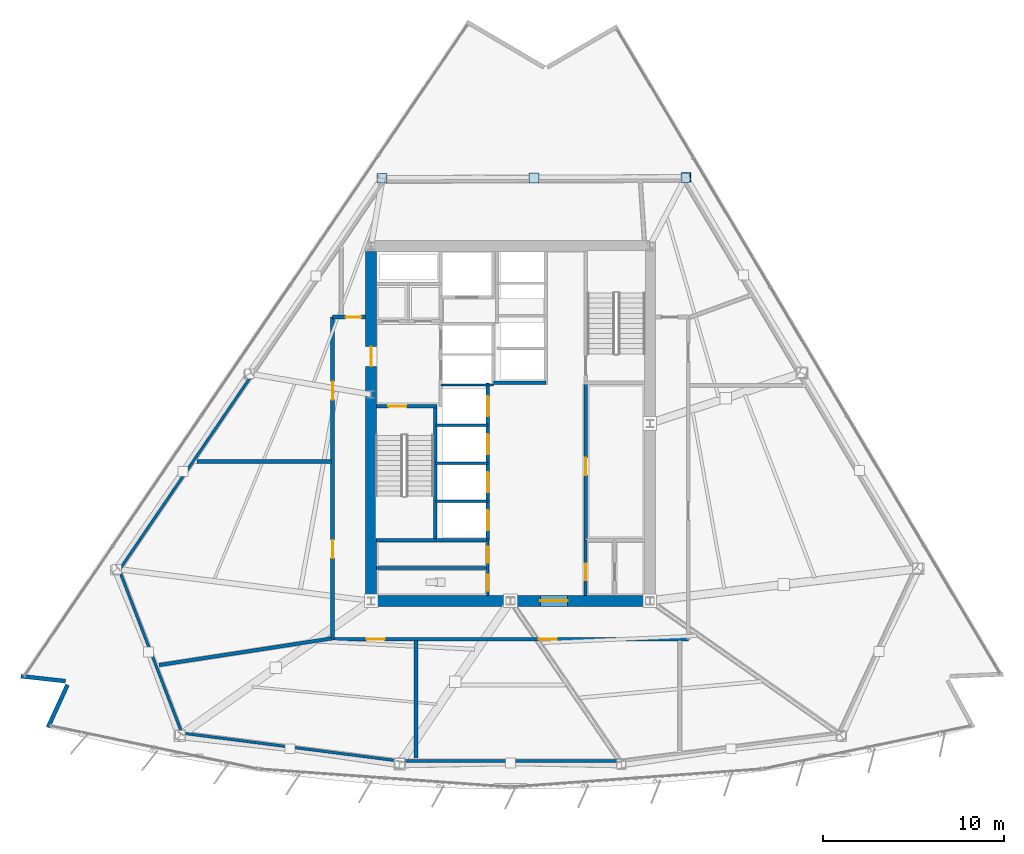
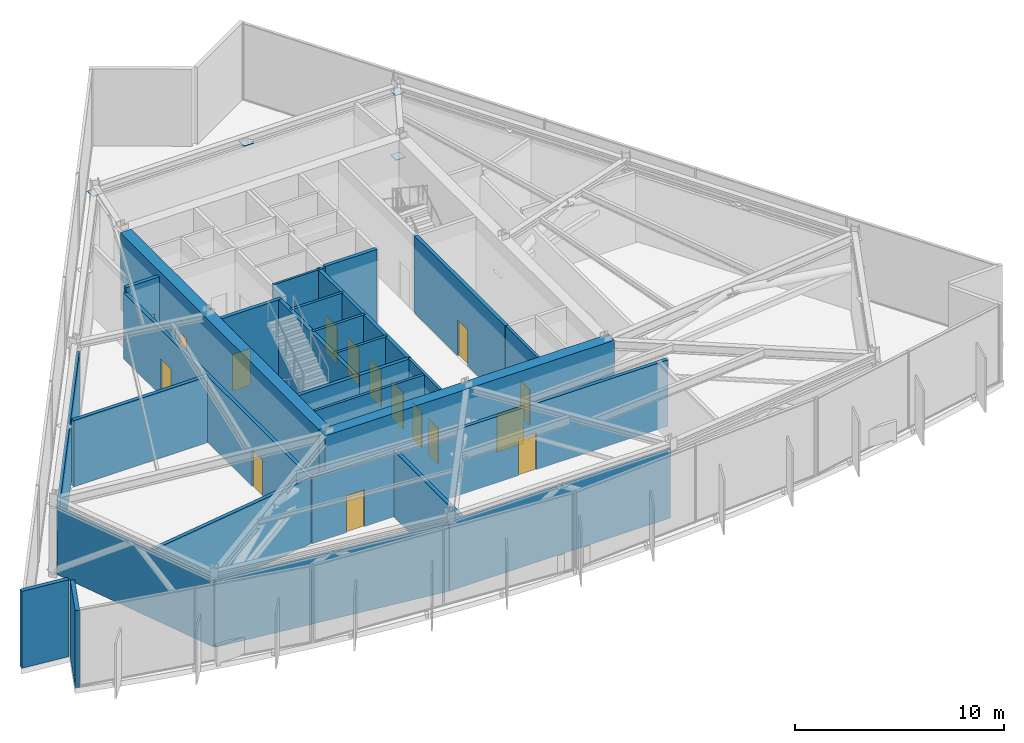
# One storey, part 8 of 14: 28 walls, 16 doors, 4 plates, 16 openings.
"""IFC4 building model written with IfcOpenShell, lengths in metres."""

from ifc_helpers import new_model, si_unit, direction, frame, frame_2d, origin, origin_2d, place, context, subcontext, project, spatial, rectangle, extrude, material, layer, layer_set, type_object, element, fill, save


model = new_model("IFC4")

# Units and contexts
model_context = context("Model", 3, precision=1e-05, world=origin(), true_north=direction((0.0, 1.0)))
body_context = subcontext(model_context, "Body", "Model", "MODEL_VIEW")
ifc_project = project(units=[si_unit("LENGTHUNIT", "METRE"), si_unit("AREAUNIT", "SQUARE_METRE"), si_unit("VOLUMEUNIT", "CUBIC_METRE"), si_unit("PLANEANGLEUNIT", "RADIAN"), si_unit("MASSUNIT", "GRAM", prefix="KILO")], contexts=[model_context])

# Site, building, storey
site_placement = place(None, origin())
site = spatial("IfcSite", under=ifc_project, at=site_placement, CompositionType="ELEMENT")
building_placement = place(site_placement, origin())
building = spatial("IfcBuilding", under=site, at=building_placement, Name="Savorim Split Tower", CompositionType="ELEMENT")
storey_placement = place(building_placement, frame((0.0, 0.0, 129.300048828125)))
storey = spatial("IfcBuildingStorey", under=building, at=storey_placement, Name="L34", CompositionType="ELEMENT", Elevation=129.300048828125)

# Plates
ifc_material_1 = material(Name="Steel S460", Category="steel")
ifc_layer_1 = layer(ifc_material_1, 0.028076171875)
ifc_layer_set_1 = layer_set([ifc_layer_1], Name="PLT-NODE-BN1")
plate_type = type_object("IfcPlateType", Name="PLT-NODE-BN1", PredefinedType="SHEET", material=ifc_layer_set_1)
plate_placement = place(storey_placement, frame((1.29345703125, 13.96044921875, 4.06591796875), z_axis=(0.0, 0.0, 1.0), x_axis=(1.0, 0.0, 0.0)))
element("IfcPlate", 1, at=plate_placement, inside=storey, type_object=plate_type, Name="L34 Belt Truss Apex Gusset Plate BN1-07", PredefinedType="SHEET", context=body_context, shape_type="SweptSolid", body=[
    extrude(rectangle(XDim=0.550048828125, YDim=0.550048828125, at=origin_2d()), origin(), (0.0, 0.0, 1.0), 0.028076171875),
])
for number, where, z_axis, x_axis, name in (
    (2, (9.699951171875, 13.99365234375, 0.26611328125), (0.0, 0.0, 1.0), (1.0, 0.0, 0.0), "L34 Belt Truss Base Gusset Plate BNB-07"),
    (3, (9.66650390625, 13.986328125, 4.06591796875), (0.0, 0.0, 1.0), (1.0, 0.0, 0.0), "L34 Belt Truss Chord Gusset Plate BCH-07"),
    (4, (-7.078125, 13.9375, 4.06591796875), (0.0, 0.0, 1.0), (1.0, 0.0, 0.0), "L34 Belt Truss Chord Gusset Plate BCH-08"),
):
    element("IfcPlate", number, at=place(storey_placement, frame(where, z_axis=z_axis, x_axis=x_axis)), inside=storey, type_object=plate_type, Name=name, PredefinedType="SHEET", context=body_context, shape_type="SweptSolid", body=[
        extrude(rectangle(XDim=0.52001953125, YDim=0.52001953125, at=origin_2d()), origin(), (0.0, 0.0, 1.0), 0.028076171875),
    ])

# Wall, opening, door
ifc_material_2 = material(Name="Concrete C60/75", Category="concrete")
ifc_layer_2 = layer(ifc_material_2, 0.60009765625)
ifc_layer_set_2 = layer_set([ifc_layer_2], Name="WAL-COR-SH600")
wall_type_1 = type_object("IfcWallType", Name="WAL-COR-SH600", PredefinedType="SHEAR", material=ifc_layer_set_2)
wall_1_placement = place(storey_placement, frame((-8.0, -9.39990234375, 0.0), z_axis=(0.0, 0.0, 1.0), x_axis=(1.0, 0.0, 0.0)))
wall_1 = element("IfcWall", 5, at=wall_1_placement, inside=storey, type_object=wall_type_1, Name="L34 Offset Core South Shear Wall", PredefinedType="SHEAR", context=body_context, shape_type="SweptSolid", body=[
    extrude(rectangle(XDim=16.0, YDim=0.60009765625, at=frame_2d((8.0, 0.0))), origin(), (0.0, 0.0, 1.0), 4.5),
])
opening_1_placement = place(wall_1_placement, frame((9.64990234375, 0.0, 0.0)))
opening_1 = element("IfcOpeningElement", 6, at=opening_1_placement, cuts=wall_1, Name="Opening DI-02", PredefinedType="OPENING", context=body_context, shape_type="SweptSolid", body=[
    extrude(rectangle(XDim=1.5, YDim=2.199951171875, at=frame_2d((0.75, 1.10009765625))), frame((0.0, 0.31005859375, 0.0), z_axis=(0.0, -1.0, 0.0), x_axis=(1.0, 0.0, 0.0)), (0.0, 0.0, 1.0), 0.6201171875),
])
ifc_material_3 = material(Name="Timber Fire Door Leaf", Category="wood")
door_type_1 = type_object("IfcDoorType", Name="DOR-DBL-1500", OperationType="NOTDEFINED", PredefinedType="DOOR", material=ifc_material_3)
door_1_placement = place(opening_1_placement, origin())
door_1 = element("IfcDoor", 7, at=door_1_placement, inside=storey, type_object=door_type_1, Name="DOR-L34-COR-LLOB - L34 Lift Lobby Main Rated Door", OperationType="DOUBLE_DOOR_SINGLE_SWING", OverallHeight=2.199951171875, OverallWidth=1.5, PredefinedType="DOOR", context=body_context, shape_type="SweptSolid", body=[
    extrude(rectangle(XDim=1.5, YDim=2.199951171875, at=frame_2d((0.75, 1.10009765625))), frame((0.0, 0.02490234375, 0.0), z_axis=(0.0, -1.0, 0.0), x_axis=(1.0, 0.0, 0.0)), (0.0, 0.0, 1.0), 0.050048828125),
])
fill(opening_1, door_1)

wall_2_placement = place(storey_placement, frame((-7.699951171875, -9.10009765625, 0.0), z_axis=(0.0, 0.0, 1.0), x_axis=(0.0, 1.0, 0.0)))
wall_2 = element("IfcWall", 8, at=wall_2_placement, inside=storey, type_object=wall_type_1, Name="L34 Offset Core West Shear Wall", PredefinedType="SHEAR", context=body_context, shape_type="SweptSolid", body=[
    extrude(rectangle(XDim=19.0, YDim=0.60009765625, at=frame_2d((9.5, 0.0))), origin(), (0.0, 0.0, 1.0), 4.5),
])
opening_2_placement = place(wall_2_placement, frame((12.64990234375, 0.0, 0.0)))
opening_2 = element("IfcOpeningElement", 9, at=opening_2_placement, cuts=wall_2, Name="Opening DI-03", PredefinedType="OPENING", context=body_context, shape_type="SweptSolid", body=[
    extrude(rectangle(XDim=1.10009765625, YDim=2.14990234375, at=frame_2d((0.550048828125, 1.074951171875))), frame((0.0, 0.31005859375, 0.0), z_axis=(0.0, -1.0, 0.0), x_axis=(1.0, 0.0, 0.0)), (0.0, 0.0, 1.0), 0.6201171875),
])
door_type_2 = type_object("IfcDoorType", Name="DOR-FIR-1100", OperationType="NOTDEFINED", PredefinedType="DOOR", material=ifc_material_3)
door_2_placement = place(opening_2_placement, origin())
door_2 = element("IfcDoor", 10, at=door_2_placement, inside=storey, type_object=door_type_2, Name="DOR-L34-COR-FFLOB - L34 Firefighting Lobby Corridor Door", OperationType="SINGLE_SWING_RIGHT", OverallHeight=2.14990234375, OverallWidth=1.10009765625, PredefinedType="DOOR", context=body_context, shape_type="SweptSolid", body=[
    extrude(rectangle(XDim=1.10009765625, YDim=2.14990234375, at=frame_2d((0.550048828125, 1.074951171875))), frame((0.0, 0.02490234375, 0.0), z_axis=(0.0, -1.0, 0.0), x_axis=(1.0, 0.0, 0.0)), (0.0, 0.0, 1.0), 0.050048828125),
])
fill(opening_2, door_2)

# Walls
ifc_material_4 = material(Name="Precast concrete C40/50", Category="concrete")
ifc_layer_3 = layer(ifc_material_4, 0.219970703125)
ifc_layer_set_3 = layer_set([ifc_layer_3], Name="WAL-EXT-CRN220")
wall_type_2 = type_object("IfcWallType", Name="WAL-EXT-CRN220", PredefinedType="SOLIDWALL", material=ifc_layer_set_3)
wall_3_placement = place(storey_placement, frame((-24.593505859375, -13.83447265625, 0.0), z_axis=(0.0, 0.0, 1.0), x_axis=(-0.993823222634, 0.110974781609, 0.0)))
element("IfcWall", 11, at=wall_3_placement, inside=storey, type_object=wall_type_2, Name="L34 Notched Corner Facade Wall SW1", PredefinedType="SOLIDWALL", context=body_context, shape_type="SweptSolid", body=[
    extrude(rectangle(XDim=2.466064453125, YDim=0.219970703125, at=frame_2d((1.23291015625, 0.0))), origin(), (0.0, 0.0, 1.0), 4.5),
])
wall_4_placement = place(storey_placement, frame((-25.5478515625, -16.380126953125, 0.0), z_axis=(0.0, 0.0, 1.0), x_axis=(0.417449299542, 0.908700215864, 0.0)))
element("IfcWall", 12, at=wall_4_placement, inside=storey, type_object=wall_type_2, Name="L34 Notched Corner Facade Wall SW", PredefinedType="SOLIDWALL", context=body_context, shape_type="SweptSolid", body=[
    extrude(rectangle(XDim=2.5703125, YDim=0.219970703125, at=frame_2d((1.28515625, 0.0))), origin(), (0.0, 0.0, 1.0), 4.5),
])

# Wall, opening, door
ifc_material_5 = material(Name="Concrete C50/60", Category="concrete")
ifc_layer_4 = layer(ifc_material_5, 0.199951171875)
ifc_layer_set_4 = layer_set([ifc_layer_4], Name="WAL-INT-RC200")
wall_type_3 = type_object("IfcWallType", Name="WAL-INT-RC200", PredefinedType="SOLIDWALL", material=ifc_layer_set_4)
wall_5_placement = place(storey_placement, frame((-7.39990234375, 1.35009765625, 0.0), z_axis=(0.0, 0.0, 1.0), x_axis=(1.0, 0.0, 0.0)))
wall_5 = element("IfcWall", 13, at=wall_5_placement, inside=storey, type_object=wall_type_3, Name="L34 Structural Shaft Wall W-L34-CR01", PredefinedType="SOLIDWALL", context=body_context, shape_type="SweptSolid", body=[
    extrude(rectangle(XDim=3.349853515625, YDim=0.199951171875, at=frame_2d((1.6748046875, 0.0))), origin(), (0.0, 0.0, 1.0), 4.5),
])
opening_3_placement = place(wall_5_placement, frame((0.64990234375, 0.0, 0.0)))
opening_3 = element("IfcOpeningElement", 14, at=opening_3_placement, cuts=wall_5, Name="Opening DI-04", PredefinedType="OPENING", context=body_context, shape_type="SweptSolid", body=[
    extrude(rectangle(XDim=1.0, YDim=2.14990234375, at=frame_2d((0.5, 1.074951171875))), frame((0.0, 0.10986328125, 0.0), z_axis=(0.0, -1.0, 0.0), x_axis=(1.0, 0.0, 0.0)), (0.0, 0.0, 1.0), 0.219970703125),
])
door_type_3 = type_object("IfcDoorType", Name="DOR-FIR-1000", OperationType="NOTDEFINED", PredefinedType="DOOR", material=ifc_material_3)
door_3_placement = place(opening_3_placement, origin())
door_3 = element("IfcDoor", 15, at=door_3_placement, inside=storey, type_object=door_type_3, Name="DR-L34-ST1 - L34 Stair ST-1 Enclosure Door", OperationType="SINGLE_SWING_LEFT", OverallHeight=2.14990234375, OverallWidth=1.0, PredefinedType="DOOR", context=body_context, shape_type="SweptSolid", body=[
    extrude(rectangle(XDim=1.0, YDim=2.14990234375, at=frame_2d((0.5, 1.074951171875))), frame((0.0, 0.02490234375, 0.0), z_axis=(0.0, -1.0, 0.0), x_axis=(1.0, 0.0, 0.0)), (0.0, 0.0, 1.0), 0.050048828125),
])
fill(opening_3, door_3)

# Wall
wall_6_placement = place(storey_placement, frame((-4.14990234375, -5.949951171875, 0.0), z_axis=(0.0, 0.0, 1.0), x_axis=(0.0, 1.0, 0.0)))
element("IfcWall", 16, at=wall_6_placement, inside=storey, type_object=wall_type_3, Name="L34 Structural Shaft Wall W-L34-CR02", PredefinedType="SOLIDWALL", context=body_context, shape_type="SweptSolid", body=[
    extrude(rectangle(XDim=7.199951171875, YDim=0.199951171875, at=frame_2d((3.60009765625, 0.0))), origin(), (0.0, 0.0, 1.0), 4.5),
])

# Wall, opening, door
wall_7_placement = place(storey_placement, frame((4.14990234375, -6.050048828125, 0.0), z_axis=(0.0, 0.0, 1.0), x_axis=(0.0, 1.0, 0.0)))
wall_7 = element("IfcWall", 17, at=wall_7_placement, inside=storey, type_object=wall_type_3, Name="L34 Partition W-L34-B1FRONT", PredefinedType="SOLIDWALL", context=body_context, shape_type="SweptSolid", body=[
    extrude(rectangle(XDim=8.699951171875, YDim=0.199951171875, at=frame_2d((4.35009765625, 0.0))), origin(), (0.0, 0.0, 1.0), 4.5),
])
opening_4_placement = place(wall_7_placement, frame((3.60009765625, 0.0, 0.0)))
opening_4 = element("IfcOpeningElement", 18, at=opening_4_placement, cuts=wall_7, Name="Opening DI-05", PredefinedType="OPENING", context=body_context, shape_type="SweptSolid", body=[
    extrude(rectangle(XDim=0.949951171875, YDim=2.10009765625, at=frame_2d((0.47509765625, 1.050048828125))), frame((0.0, 0.10986328125, 0.0), z_axis=(0.0, -1.0, 0.0), x_axis=(1.0, 0.0, 0.0)), (0.0, 0.0, 1.0), 0.219970703125),
])
door_type_4 = type_object("IfcDoorType", Name="DOR-FIR-950", OperationType="NOTDEFINED", PredefinedType="DOOR", material=ifc_material_3)
door_4_placement = place(opening_4_placement, origin())
door_4 = element("IfcDoor", 19, at=door_4_placement, inside=storey, type_object=door_type_4, Name="DR-L34-LV7B1 - L34 Booster Transfer Plant Room Door", OperationType="SINGLE_SWING_RIGHT", OverallHeight=2.10009765625, OverallWidth=0.949951171875, PredefinedType="DOOR", context=body_context, shape_type="SweptSolid", body=[
    extrude(rectangle(XDim=0.949951171875, YDim=2.10009765625, at=frame_2d((0.47509765625, 1.050048828125))), frame((0.0, 0.02490234375, 0.0), z_axis=(0.0, -1.0, 0.0), x_axis=(1.0, 0.0, 0.0)), (0.0, 0.0, 1.0), 0.050048828125),
])
fill(opening_4, door_4)

# Wall, openings, doors
wall_8_placement = place(storey_placement, frame((-1.25, -6.050048828125, 0.0), z_axis=(0.0, 0.0, 1.0), x_axis=(0.0, 1.0, 0.0)))
wall_8 = element("IfcWall", 20, at=wall_8_placement, inside=storey, type_object=wall_type_3, Name="L34 Partition W-L34-B2FRONT", PredefinedType="SOLIDWALL", context=body_context, shape_type="SweptSolid", body=[
    extrude(rectangle(XDim=8.699951171875, YDim=0.199951171875, at=frame_2d((4.35009765625, 0.0))), origin(), (0.0, 0.0, 1.0), 4.5),
])
opening_5_placement = place(wall_8_placement, frame((0.550048828125, 0.0, 0.0)))
opening_5 = element("IfcOpeningElement", 21, at=opening_5_placement, cuts=wall_8, Name="Opening LD-02", PredefinedType="OPENING", context=body_context, shape_type="SweptSolid", body=[
    extrude(rectangle(XDim=1.10009765625, YDim=2.14990234375, at=frame_2d((0.550048828125, 1.074951171875))), frame((0.0, 0.10986328125, 0.0), z_axis=(0.0, -1.0, 0.0), x_axis=(1.0, 0.0, 0.0)), (0.0, 0.0, 1.0), 0.219970703125),
])
opening_6_placement = place(wall_8_placement, frame((2.64990234375, 0.0, 0.0)))
opening_6 = element("IfcOpeningElement", 22, at=opening_6_placement, cuts=wall_8, Name="Opening LD-02", PredefinedType="OPENING", context=body_context, shape_type="SweptSolid", body=[
    extrude(rectangle(XDim=1.10009765625, YDim=2.14990234375, at=frame_2d((0.550048828125, 1.074951171875))), frame((0.0, 0.10986328125, 0.0), z_axis=(0.0, -1.0, 0.0), x_axis=(1.0, 0.0, 0.0)), (0.0, 0.0, 1.0), 0.219970703125),
])
opening_7_placement = place(wall_8_placement, frame((4.75, 0.0, 0.0)))
opening_7 = element("IfcOpeningElement", 23, at=opening_7_placement, cuts=wall_8, Name="Opening LD-02", PredefinedType="OPENING", context=body_context, shape_type="SweptSolid", body=[
    extrude(rectangle(XDim=1.10009765625, YDim=2.14990234375, at=frame_2d((0.550048828125, 1.074951171875))), frame((0.0, 0.10986328125, 0.0), z_axis=(0.0, -1.0, 0.0), x_axis=(1.0, 0.0, 0.0)), (0.0, 0.0, 1.0), 0.219970703125),
])
opening_8_placement = place(wall_8_placement, frame((6.85009765625, 0.0, 0.0)))
opening_8 = element("IfcOpeningElement", 24, at=opening_8_placement, cuts=wall_8, Name="Opening LD-02", PredefinedType="OPENING", context=body_context, shape_type="SweptSolid", body=[
    extrude(rectangle(XDim=1.10009765625, YDim=2.14990234375, at=frame_2d((0.550048828125, 1.074951171875))), frame((0.0, 0.10986328125, 0.0), z_axis=(0.0, -1.0, 0.0), x_axis=(1.0, 0.0, 0.0)), (0.0, 0.0, 1.0), 0.219970703125),
])
ifc_material_6 = material(Name="Charcoal Anodised Aluminium", Category="aluminium")
door_type_5 = type_object("IfcDoorType", Name="DOR-SLD-LDM1100", OperationType="NOTDEFINED", PredefinedType="DOOR", material=ifc_material_6)
door_5_placement = place(opening_5_placement, origin())
door_5 = element("IfcDoor", 25, at=door_5_placement, inside=storey, type_object=door_type_5, Name="DR-L34-LD-PLM1 - L34 Lift PL-M1 Sliding Landing Door", OperationType="DOUBLE_DOOR_SLIDING", OverallHeight=2.14990234375, OverallWidth=1.10009765625, PredefinedType="DOOR", context=body_context, shape_type="SweptSolid", body=[
    extrude(rectangle(XDim=1.10009765625, YDim=2.14990234375, at=frame_2d((0.550048828125, 1.074951171875))), frame((0.0, 0.02490234375, 0.0), z_axis=(0.0, -1.0, 0.0), x_axis=(1.0, 0.0, 0.0)), (0.0, 0.0, 1.0), 0.050048828125),
])
fill(opening_5, door_5)
door_6_placement = place(opening_6_placement, origin())
door_6 = element("IfcDoor", 26, at=door_6_placement, inside=storey, type_object=door_type_5, Name="DR-L34-LD-PLM2 - L34 Lift PL-M2 Sliding Landing Door", OperationType="DOUBLE_DOOR_SLIDING", OverallHeight=2.14990234375, OverallWidth=1.10009765625, PredefinedType="DOOR", context=body_context, shape_type="SweptSolid", body=[
    extrude(rectangle(XDim=1.10009765625, YDim=2.14990234375, at=frame_2d((0.550048828125, 1.074951171875))), frame((0.0, 0.02490234375, 0.0), z_axis=(0.0, -1.0, 0.0), x_axis=(1.0, 0.0, 0.0)), (0.0, 0.0, 1.0), 0.050048828125),
])
fill(opening_6, door_6)
door_7_placement = place(opening_7_placement, origin())
door_7 = element("IfcDoor", 27, at=door_7_placement, inside=storey, type_object=door_type_5, Name="DR-L34-LD-PLM3 - L34 Lift PL-M3 Sliding Landing Door", OperationType="DOUBLE_DOOR_SLIDING", OverallHeight=2.14990234375, OverallWidth=1.10009765625, PredefinedType="DOOR", context=body_context, shape_type="SweptSolid", body=[
    extrude(rectangle(XDim=1.10009765625, YDim=2.14990234375, at=frame_2d((0.550048828125, 1.074951171875))), frame((0.0, 0.02490234375, 0.0), z_axis=(0.0, -1.0, 0.0), x_axis=(1.0, 0.0, 0.0)), (0.0, 0.0, 1.0), 0.050048828125),
])
fill(opening_7, door_7)
door_8_placement = place(opening_8_placement, origin())
door_8 = element("IfcDoor", 28, at=door_8_placement, inside=storey, type_object=door_type_5, Name="DR-L34-LD-PLM4 - L34 Lift PL-M4 Sliding Landing Door", OperationType="DOUBLE_DOOR_SLIDING", OverallHeight=2.14990234375, OverallWidth=1.10009765625, PredefinedType="DOOR", context=body_context, shape_type="SweptSolid", body=[
    extrude(rectangle(XDim=1.10009765625, YDim=2.14990234375, at=frame_2d((0.550048828125, 1.074951171875))), frame((0.0, 0.02490234375, 0.0), z_axis=(0.0, -1.0, 0.0), x_axis=(1.0, 0.0, 0.0)), (0.0, 0.0, 1.0), 0.050048828125),
])
fill(opening_8, door_8)

# Walls
wall_9_placement = place(storey_placement, frame((-0.949951171875, 2.64990234375, 0.0), z_axis=(0.0, 0.0, 1.0), x_axis=(1.0, 0.0, 0.0)))
element("IfcWall", 29, at=wall_9_placement, inside=storey, type_object=wall_type_3, Name="L34 Partition W-L34-B3SOUTH", PredefinedType="SOLIDWALL", context=body_context, shape_type="SweptSolid", body=[
    extrude(rectangle(XDim=2.89990234375, YDim=0.199951171875, at=frame_2d((1.449951171875, 0.0))), origin(), (0.0, 0.0, 1.0), 4.5),
])
wall_10_placement = place(storey_placement, frame((-7.39990234375, -6.050048828125, 0.0), z_axis=(0.0, 0.0, 1.0), x_axis=(1.0, 0.0, 0.0)))
element("IfcWall", 30, at=wall_10_placement, inside=storey, type_object=wall_type_3, Name="L34 Structural Shaft Wall W-L34-KSEP-W", PredefinedType="SOLIDWALL", context=body_context, shape_type="SweptSolid", body=[
    extrude(rectangle(XDim=3.349853515625, YDim=0.199951171875, at=frame_2d((1.6748046875, 0.0))), origin(), (0.0, 0.0, 1.0), 4.5),
])
wall_11_placement = place(storey_placement, frame((-4.0400390625, -6.050048828125, 0.0), z_axis=(0.0, 0.0, 1.0), x_axis=(1.0, 0.0, 0.0)))
element("IfcWall", 31, at=wall_11_placement, inside=storey, type_object=wall_type_3, Name="L34 Partition W-L34-KSEP-W2", PredefinedType="SOLIDWALL", context=body_context, shape_type="SweptSolid", body=[
    extrude(rectangle(XDim=2.7900390625, YDim=0.199951171875, at=frame_2d((1.39501953125, 0.0))), origin(), (0.0, 0.0, 1.0), 4.5),
])

# Wall, openings, doors
wall_12_placement = place(storey_placement, frame((-9.830078125, -11.530029296875, 0.0), z_axis=(0.0, 0.0, 1.0), x_axis=(0.0, 1.0, 0.0)))
wall_12 = element("IfcWall", 32, at=wall_12_placement, inside=storey, type_object=wall_type_3, Name="L34 Partition W-L34-COR-W1", PredefinedType="SOLIDWALL", context=body_context, shape_type="SweptSolid", body=[
    extrude(rectangle(XDim=17.81005859375, YDim=0.199951171875, at=frame_2d((8.905029296875, 0.0))), origin(), (0.0, 0.0, 1.0), 3.875),
])
opening_9_placement = place(wall_12_placement, frame((4.4921875, 0.0, 0.0)))
opening_9 = element("IfcOpeningElement", 33, at=opening_9_placement, cuts=wall_12, Name="Opening DI-04", PredefinedType="OPENING", context=body_context, shape_type="SweptSolid", body=[
    extrude(rectangle(XDim=1.0, YDim=2.14990234375, at=frame_2d((0.5, 1.074951171875))), frame((0.0, 0.10986328125, 0.0), z_axis=(0.0, -1.0, 0.0), x_axis=(1.0, 0.0, 0.0)), (0.0, 0.0, 1.0), 0.219970703125),
])
opening_10_placement = place(wall_12_placement, frame((13.243896484375, 0.0, 0.0)))
opening_10 = element("IfcOpeningElement", 34, at=opening_10_placement, cuts=wall_12, Name="Opening DI-04", PredefinedType="OPENING", context=body_context, shape_type="SweptSolid", body=[
    extrude(rectangle(XDim=1.0, YDim=2.14990234375, at=frame_2d((0.5, 1.074951171875))), frame((0.0, 0.10986328125, 0.0), z_axis=(0.0, -1.0, 0.0), x_axis=(1.0, 0.0, 0.0)), (0.0, 0.0, 1.0), 0.219970703125),
])
door_9_placement = place(opening_9_placement, origin())
door_9 = element("IfcDoor", 35, at=door_9_placement, inside=storey, type_object=door_type_3, Name="DR-L34-RM01 - L34 Refuge Area West Entry Door", OperationType="SINGLE_SWING_RIGHT", OverallHeight=2.14990234375, OverallWidth=1.0, PredefinedType="DOOR", context=body_context, shape_type="SweptSolid", body=[
    extrude(rectangle(XDim=1.0, YDim=2.14990234375, at=frame_2d((0.5, 1.074951171875))), frame((0.0, 0.02490234375, 0.0), z_axis=(0.0, -1.0, 0.0), x_axis=(1.0, 0.0, 0.0)), (0.0, 0.0, 1.0), 0.050048828125),
])
fill(opening_9, door_9)
door_10_placement = place(opening_10_placement, origin())
door_10 = element("IfcDoor", 36, at=door_10_placement, inside=storey, type_object=door_type_3, Name="DR-L34-RM08 - L34 Booster Pump Plant Room 1 Entry Door", OperationType="SINGLE_SWING_LEFT", OverallHeight=2.14990234375, OverallWidth=1.0, PredefinedType="DOOR", context=body_context, shape_type="SweptSolid", body=[
    extrude(rectangle(XDim=1.0, YDim=2.14990234375, at=frame_2d((0.5, 1.074951171875))), frame((0.0, 0.02490234375, 0.0), z_axis=(0.0, -1.0, 0.0), x_axis=(1.0, 0.0, 0.0)), (0.0, 0.0, 1.0), 0.050048828125),
])
fill(opening_10, door_10)

# Wall, opening, door
wall_13_placement = place(storey_placement, frame((-9.830078125, 6.280029296875, 0.0), z_axis=(0.0, 0.0, 1.0), x_axis=(1.0, 0.0, 0.0)))
wall_13 = element("IfcWall", 37, at=wall_13_placement, inside=storey, type_object=wall_type_3, Name="L34 Partition W-L34-COR-WN1", PredefinedType="SOLIDWALL", context=body_context, shape_type="SweptSolid", body=[
    extrude(rectangle(XDim=1.830078125, YDim=0.199951171875, at=frame_2d((0.9150390625, 0.0))), origin(), (0.0, 0.0, 1.0), 4.175048828125),
])
opening_11_placement = place(wall_13_placement, frame((0.727783203125, 0.0, 0.0)))
opening_11 = element("IfcOpeningElement", 38, at=opening_11_placement, cuts=wall_13, Name="Opening DI-12", PredefinedType="OPENING", context=body_context, shape_type="SweptSolid", body=[
    extrude(rectangle(XDim=0.85009765625, YDim=2.10009765625, at=frame_2d((0.425048828125, 1.050048828125))), frame((0.0, 0.10986328125, 0.0), z_axis=(0.0, -1.0, 0.0), x_axis=(1.0, 0.0, 0.0)), (0.0, 0.0, 1.0), 0.219970703125),
])
ifc_material_7 = material(Name="Galvanised Painted Steel Balustrade", Category="steel")
door_type_6 = type_object("IfcDoorType", Name="DOR-RIS-850", OperationType="NOTDEFINED", PredefinedType="DOOR", material=ifc_material_7)
door_11_placement = place(opening_11_placement, origin())
door_11 = element("IfcDoor", 39, at=door_11_placement, inside=storey, type_object=door_type_6, Name="DR-L34-RM07 - L34 Chiller Plant Room 1 Entry Door", OperationType="SINGLE_SWING_RIGHT", OverallHeight=2.10009765625, OverallWidth=0.85009765625, PredefinedType="DOOR", context=body_context, shape_type="SweptSolid", body=[
    extrude(rectangle(XDim=0.85009765625, YDim=2.10009765625, at=frame_2d((0.425048828125, 1.050048828125))), frame((0.0, 0.02490234375, 0.0), z_axis=(0.0, -1.0, 0.0), x_axis=(1.0, 0.0, 0.0)), (0.0, 0.0, 1.0), 0.050048828125),
])
fill(opening_11, door_11)

# Wall, openings, doors
wall_14_placement = place(storey_placement, frame((-9.830078125, -11.530029296875, 0.0), z_axis=(0.0, 0.0, 1.0), x_axis=(1.0, 0.0, 0.0)))
wall_14 = element("IfcWall", 40, at=wall_14_placement, inside=storey, type_object=wall_type_3, Name="L34 Partition W-L34-COR-S1", PredefinedType="SOLIDWALL", context=body_context, shape_type="SweptSolid", body=[
    extrude(rectangle(XDim=19.66015625, YDim=0.199951171875, at=frame_2d((9.830078125, 0.0))), origin(), (0.0, 0.0, 1.0), 3.875),
])
opening_12_placement = place(wall_14_placement, frame((1.88330078125, 0.0, 0.0)))
opening_12 = element("IfcOpeningElement", 41, at=opening_12_placement, cuts=wall_14, Name="Opening DI-04", PredefinedType="OPENING", context=body_context, shape_type="SweptSolid", body=[
    extrude(rectangle(XDim=1.0, YDim=2.14990234375, at=frame_2d((0.5, 1.074951171875))), frame((0.0, 0.10986328125, 0.0), z_axis=(0.0, -1.0, 0.0), x_axis=(1.0, 0.0, 0.0)), (0.0, 0.0, 1.0), 0.219970703125),
])
opening_13_placement = place(wall_14_placement, frame((11.397216796875, 0.0, 0.0)))
opening_13 = element("IfcOpeningElement", 42, at=opening_13_placement, cuts=wall_14, Name="Opening DI-04", PredefinedType="OPENING", context=body_context, shape_type="SweptSolid", body=[
    extrude(rectangle(XDim=1.0, YDim=2.14990234375, at=frame_2d((0.5, 1.074951171875))), frame((0.0, 0.10986328125, 0.0), z_axis=(0.0, -1.0, 0.0), x_axis=(1.0, 0.0, 0.0)), (0.0, 0.0, 1.0), 0.219970703125),
])
door_12_placement = place(opening_12_placement, origin())
door_12 = element("IfcDoor", 43, at=door_12_placement, inside=storey, type_object=door_type_3, Name="DR-L34-RM02 - L34 AHU Mechanical Plant Room 1 Entry Door", OperationType="SINGLE_SWING_LEFT", OverallHeight=2.14990234375, OverallWidth=1.0, PredefinedType="DOOR", context=body_context, shape_type="SweptSolid", body=[
    extrude(rectangle(XDim=1.0, YDim=2.14990234375, at=frame_2d((0.5, 1.074951171875))), frame((0.0, 0.02490234375, 0.0), z_axis=(0.0, -1.0, 0.0), x_axis=(1.0, 0.0, 0.0)), (0.0, 0.0, 1.0), 0.050048828125),
])
fill(opening_12, door_12)
door_13_placement = place(opening_13_placement, origin())
door_13 = element("IfcDoor", 44, at=door_13_placement, inside=storey, type_object=door_type_3, Name="DR-L34-RM03 - L34 Refuge Area North-West Entry Door", OperationType="SINGLE_SWING_RIGHT", OverallHeight=2.14990234375, OverallWidth=1.0, PredefinedType="DOOR", context=body_context, shape_type="SweptSolid", body=[
    extrude(rectangle(XDim=1.0, YDim=2.14990234375, at=frame_2d((0.5, 1.074951171875))), frame((0.0, 0.02490234375, 0.0), z_axis=(0.0, -1.0, 0.0), x_axis=(1.0, 0.0, 0.0)), (0.0, 0.0, 1.0), 0.050048828125),
])
fill(opening_13, door_13)

# Walls
wall_15_placement = place(storey_placement, frame((-9.889892578125, -1.69921875, 0.0), z_axis=(0.0, 0.0, 1.0), x_axis=(-1.0, 0.0, 0.0)))
element("IfcWall", 45, at=wall_15_placement, inside=storey, type_object=wall_type_3, Name="L34 Partition W-L34-PLW01", PredefinedType="SOLIDWALL", context=body_context, shape_type="SweptSolid", body=[
    extrude(rectangle(XDim=7.439697265625, YDim=0.199951171875, at=frame_2d((3.7197265625, 0.0))), origin(), (0.0, 0.0, 1.0), 3.875),
])
wall_16_placement = place(storey_placement, frame((-9.886962890625, -11.477294921875, 0.0), z_axis=(0.0, 0.0, 1.0), x_axis=(-0.988323930856, -0.152367344589, 0.0)))
element("IfcWall", 46, at=wall_16_placement, inside=storey, type_object=wall_type_3, Name="L34 Partition W-L34-PLW02", PredefinedType="SOLIDWALL", context=body_context, shape_type="SweptSolid", body=[
    extrude(rectangle(XDim=9.64111328125, YDim=0.199951171875, at=frame_2d((4.820556640625, 0.0))), origin(), (0.0, 0.0, 1.0), 3.875),
])
wall_17_placement = place(storey_placement, frame((-5.216796875, -11.590087890625, 0.0), z_axis=(0.0, 0.0, 1.0), x_axis=(0.0, -1.0, 0.0)))
element("IfcWall", 47, at=wall_17_placement, inside=storey, type_object=wall_type_3, Name="L34 Partition W-L34-PLW05", PredefinedType="SOLIDWALL", context=body_context, shape_type="SweptSolid", body=[
    extrude(rectangle(XDim=6.49169921875, YDim=0.199951171875, at=frame_2d((3.245849609375, 0.0))), origin(), (0.0, 0.0, 1.0), 3.875),
])
ifc_material_8 = material(Name="Acoustic Gypsum Partition Board")
ifc_layer_5 = layer(ifc_material_8, 0.1201171875)
ifc_layer_set_5 = layer_set([ifc_layer_5], Name="WAL-PAR-120")
wall_type_4 = type_object("IfcWallType", Name="WAL-PAR-120", PredefinedType="PARTITIONING", material=ifc_layer_set_5)
wall_18_placement = place(storey_placement, frame((-3.85009765625, 2.52001953125, 0.0), z_axis=(0.0, 0.0, 1.0), x_axis=(1.0, 0.0, 0.0)))
element("IfcWall", 48, at=wall_18_placement, inside=storey, type_object=wall_type_4, Name="L34 Partition W-L34-FFLD0", PredefinedType="PARTITIONING", context=body_context, shape_type="SweptSolid", body=[
    extrude(rectangle(XDim=2.900146484375, YDim=0.1201171875, at=frame_2d((1.4501953125, 0.0))), origin(), (0.0, 0.0, 1.0), 4.5),
])
ifc_layer_6 = layer(ifc_material_8, 0.14990234375)
ifc_layer_set_6 = layer_set([ifc_layer_6], Name="WAL-PAR-150")
wall_type_5 = type_object("IfcWallType", Name="WAL-PAR-150", PredefinedType="PARTITIONING", material=ifc_layer_set_6)
for number, where, z_axis, x_axis, name in (
    (49, (-4.14990234375, -3.89990234375, 0.0), (0.0, 0.0, 1.0), (1.0, 0.0, 0.0), "L34 Partition W-L34-B2DIV1"),
    (50, (-4.14990234375, -1.800048828125, 0.0), (0.0, 0.0, 1.0), (1.0, 0.0, 0.0), "L34 Partition W-L34-B2DIV2"),
    (51, (-4.14990234375, 0.300048828125, 0.0), (0.0, 0.0, 1.0), (1.0, 0.0, 0.0), "L34 Partition W-L34-B2DIV3"),
):
    element("IfcWall", number, at=place(storey_placement, frame(where, z_axis=z_axis, x_axis=x_axis)), inside=storey, type_object=wall_type_5, Name=name, PredefinedType="PARTITIONING", context=body_context, shape_type="SweptSolid", body=[
        extrude(rectangle(XDim=2.89990234375, YDim=0.14990234375, at=frame_2d((1.449951171875, 0.0))), origin(), (0.0, 0.0, 1.0), 4.5),
    ])

# Wall, openings, doors
wall_19_placement = place(storey_placement, frame((-1.25, -9.094970703125, 0.0), z_axis=(0.0, 0.0, 1.0), x_axis=(0.0, 1.0, 0.0)))
wall_19 = element("IfcWall", 52, at=wall_19_placement, inside=storey, type_object=wall_type_5, Name="L34 Partition W-L34-KLOB-W", PredefinedType="PARTITIONING", context=body_context, shape_type="SweptSolid", body=[
    extrude(rectangle(XDim=3.044921875, YDim=0.14990234375, at=frame_2d((1.5224609375, 0.0))), origin(), (0.0, 0.0, 1.0), 4.5),
])
opening_14_placement = place(wall_19_placement, frame((1.794921875, 0.0, 0.0)))
opening_14 = element("IfcOpeningElement", 53, at=opening_14_placement, cuts=wall_19, Name="Opening DI-06", PredefinedType="OPENING", context=body_context, shape_type="SweptSolid", body=[
    extrude(rectangle(XDim=0.89990234375, YDim=2.10009765625, at=frame_2d((0.449951171875, 1.050048828125))), frame((0.0, 0.0849609375, 0.0), z_axis=(0.0, -1.0, 0.0), x_axis=(1.0, 0.0, 0.0)), (0.0, 0.0, 1.0), 0.169921875),
])
opening_15_placement = place(wall_19_placement, frame((0.2451171875, 0.0, 0.0)))
opening_15 = element("IfcOpeningElement", 54, at=opening_15_placement, cuts=wall_19, Name="Opening DI-11", PredefinedType="OPENING", context=body_context, shape_type="SweptSolid", body=[
    extrude(rectangle(XDim=0.89990234375, YDim=2.10009765625, at=frame_2d((0.449951171875, 1.050048828125))), frame((0.0, 0.0849609375, 0.0), z_axis=(0.0, -1.0, 0.0), x_axis=(1.0, 0.0, 0.0)), (0.0, 0.0, 1.0), 0.169921875),
])
door_type_7 = type_object("IfcDoorType", Name="DOR-FIR-900", OperationType="NOTDEFINED", PredefinedType="DOOR", material=ifc_material_3)
door_14_placement = place(opening_14_placement, origin())
door_14 = element("IfcDoor", 55, at=door_14_placement, inside=storey, type_object=door_type_7, Name="DR-L34-K2CLN - L34 Cleaning Store Door", OperationType="SINGLE_SWING_LEFT", OverallHeight=2.10009765625, OverallWidth=0.89990234375, PredefinedType="DOOR", context=body_context, shape_type="SweptSolid", body=[
    extrude(rectangle(XDim=0.89990234375, YDim=2.10009765625, at=frame_2d((0.449951171875, 1.050048828125))), frame((0.0, 0.02490234375, 0.0), z_axis=(0.0, -1.0, 0.0), x_axis=(1.0, 0.0, 0.0)), (0.0, 0.0, 1.0), 0.050048828125),
])
fill(opening_14, door_14)
ifc_material_9 = material(Name="Oak Veneer Acoustic Door")
door_type_8 = type_object("IfcDoorType", Name="DOR-WC-900", OperationType="NOTDEFINED", PredefinedType="DOOR", material=ifc_material_9)
door_15_placement = place(opening_15_placement, origin())
door_15 = element("IfcDoor", 56, at=door_15_placement, inside=storey, type_object=door_type_8, Name="DR-L34-K2WC - L34 Core WC Door", OperationType="SINGLE_SWING_RIGHT", OverallHeight=2.10009765625, OverallWidth=0.89990234375, PredefinedType="DOOR", context=body_context, shape_type="SweptSolid", body=[
    extrude(rectangle(XDim=0.89990234375, YDim=2.10009765625, at=frame_2d((0.449951171875, 1.050048828125))), frame((0.0, 0.02490234375, 0.0), z_axis=(0.0, -1.0, 0.0), x_axis=(1.0, 0.0, 0.0)), (0.0, 0.0, 1.0), 0.050048828125),
])
fill(opening_15, door_15)

# Wall, opening, door
wall_20_placement = place(storey_placement, frame((4.14990234375, -9.094970703125, 0.0), z_axis=(0.0, 0.0, 1.0), x_axis=(0.0, 1.0, 0.0)))
wall_20 = element("IfcWall", 57, at=wall_20_placement, inside=storey, type_object=wall_type_5, Name="L34 Partition W-L34-KLOB-E", PredefinedType="PARTITIONING", context=body_context, shape_type="SweptSolid", body=[
    extrude(rectangle(XDim=3.044921875, YDim=0.14990234375, at=frame_2d((1.5224609375, 0.0))), origin(), (0.0, 0.0, 1.0), 4.5),
])
opening_16_placement = place(wall_20_placement, frame((0.844970703125, 0.0, 0.0)))
opening_16 = element("IfcOpeningElement", 58, at=opening_16_placement, cuts=wall_20, Name="Opening DI-06", PredefinedType="OPENING", context=body_context, shape_type="SweptSolid", body=[
    extrude(rectangle(XDim=0.89990234375, YDim=2.10009765625, at=frame_2d((0.449951171875, 1.050048828125))), frame((0.0, 0.0849609375, 0.0), z_axis=(0.0, -1.0, 0.0), x_axis=(1.0, 0.0, 0.0)), (0.0, 0.0, 1.0), 0.169921875),
])
door_16_placement = place(opening_16_placement, origin())
door_16 = element("IfcDoor", 59, at=door_16_placement, inside=storey, type_object=door_type_7, Name="DR-L34-K2PAN - L34 Vending Pantry Door", OperationType="SINGLE_SWING_LEFT", OverallHeight=2.10009765625, OverallWidth=0.89990234375, PredefinedType="DOOR", context=body_context, shape_type="SweptSolid", body=[
    extrude(rectangle(XDim=0.89990234375, YDim=2.10009765625, at=frame_2d((0.449951171875, 1.050048828125))), frame((0.0, 0.02490234375, 0.0), z_axis=(0.0, -1.0, 0.0), x_axis=(1.0, 0.0, 0.0)), (0.0, 0.0, 1.0), 0.050048828125),
])
fill(opening_16, door_16)

# Walls
wall_21_placement = place(storey_placement, frame((-7.39501953125, -7.580078125, 0.0), z_axis=(0.0, 0.0, 1.0), x_axis=(1.0, 0.0, 0.0)))
element("IfcWall", 60, at=wall_21_placement, inside=storey, type_object=wall_type_5, Name="L34 Partition W-L34-K2H", PredefinedType="PARTITIONING", context=body_context, shape_type="SweptSolid", body=[
    extrude(rectangle(XDim=6.14501953125, YDim=0.14990234375, at=frame_2d((3.072509765625, 0.0))), origin(), (0.0, 0.0, 1.0), 4.5),
])
wall_22_placement = place(storey_placement, frame((-21.614990234375, -7.696533203125, 0.0), z_axis=(0.0, 0.0, 1.0), x_axis=(0.562462197544, 0.826823001817, 0.0)))
element("IfcWall", 61, at=wall_22_placement, inside=storey, type_object=wall_type_5, Name="L34 Partition W-L34-PBLT01", PredefinedType="PARTITIONING", context=body_context, shape_type="SweptSolid", body=[
    extrude(rectangle(XDim=12.98828125, YDim=0.14990234375, at=frame_2d((6.494140625, 0.0))), origin(), (0.0, 0.0, 1.0), 3.925048828125),
])
wall_23_placement = place(storey_placement, frame((6.1123046875, -18.251708984375, 0.0), z_axis=(0.0, 0.0, 1.0), x_axis=(-1.0, 0.0, 0.0)))
element("IfcWall", 62, at=wall_23_placement, inside=storey, type_object=wall_type_5, Name="L34 Partition W-L34-PBLT08", PredefinedType="PARTITIONING", context=body_context, shape_type="SweptSolid", body=[
    extrude(rectangle(XDim=12.224609375, YDim=0.14990234375, at=frame_2d((6.1123046875, 0.0))), origin(), (0.0, 0.0, 1.0), 4.034912109375),
])
wall_24_placement = place(storey_placement, frame((-6.1123046875, -18.251708984375, 0.0), z_axis=(0.0, 0.0, 1.0), x_axis=(-0.991860902514, 0.127326156247, 0.0)))
element("IfcWall", 63, at=wall_24_placement, inside=storey, type_object=wall_type_5, Name="L34 Partition W-L34-PBLT09", PredefinedType="PARTITIONING", context=body_context, shape_type="SweptSolid", body=[
    extrude(rectangle(XDim=12.139404296875, YDim=0.14990234375, at=frame_2d((6.06982421875, 0.0))), origin(), (0.0, 0.0, 1.0), 3.925048828125),
])
wall_25_placement = place(storey_placement, frame((-18.15283203125, -16.7060546875, 0.0), z_axis=(0.0, 0.0, 1.0), x_axis=(-0.358704472601, 0.9334511778, 0.0)))
element("IfcWall", 64, at=wall_25_placement, inside=storey, type_object=wall_type_5, Name="L34 Partition W-L34-PBLT10", PredefinedType="PARTITIONING", context=body_context, shape_type="SweptSolid", body=[
    extrude(rectangle(XDim=9.65185546875, YDim=0.14990234375, at=frame_2d((4.825927734375, 0.0))), origin(), (0.0, 0.0, 1.0), 3.925048828125),
])

save(model, "model.ifc")
